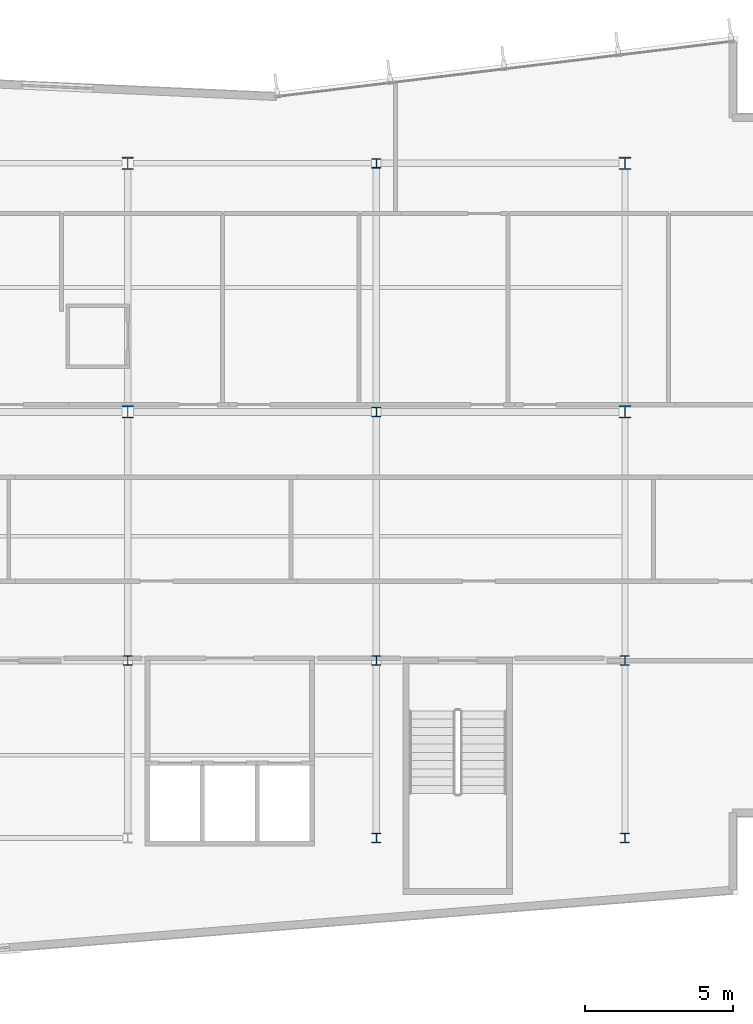
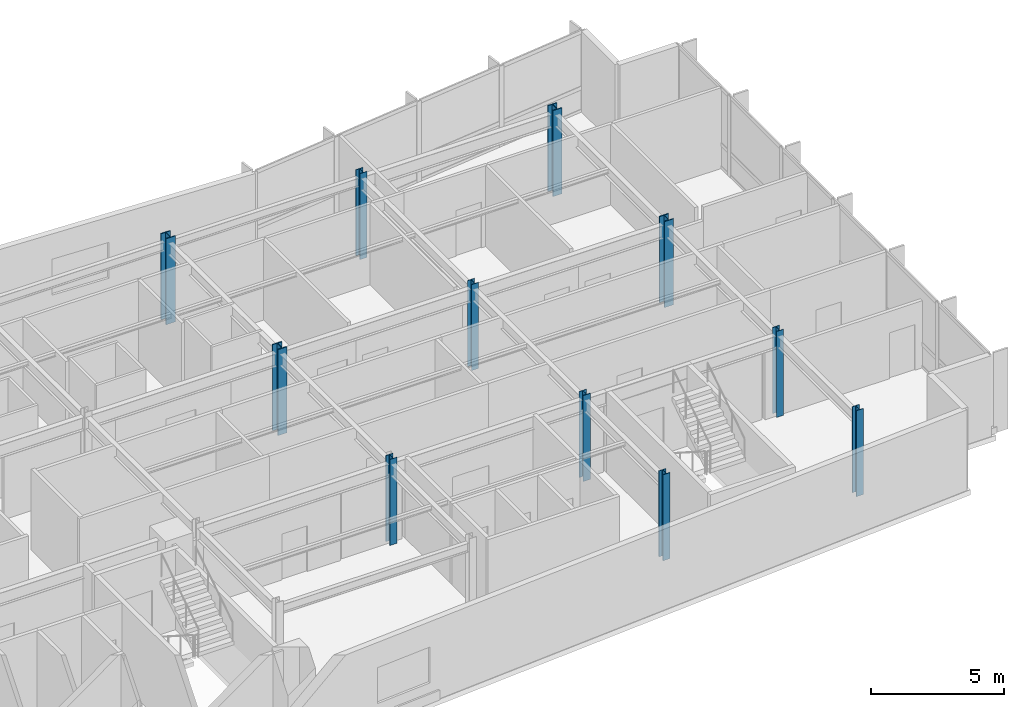
# One storey, part 2 of 19: 11 columns.
"""IFC4 building model written with IfcOpenShell, lengths in metres."""

from ifc_helpers import new_model, si_unit, direction, frame, origin, origin_2d, place, context, subcontext, project, spatial, i_section, extrude, material, material_profile, profile_set, type_object, element, save


model = new_model("IFC4")

# Units and contexts
model_context = context("Model", 3, precision=1e-05, world=origin(), true_north=direction((0.0, 1.0)))
body_context = subcontext(model_context, "Body", "Model", "MODEL_VIEW")
ifc_project = project(units=[si_unit("LENGTHUNIT", "METRE"), si_unit("AREAUNIT", "SQUARE_METRE"), si_unit("VOLUMEUNIT", "CUBIC_METRE"), si_unit("PLANEANGLEUNIT", "RADIAN"), si_unit("MASSUNIT", "GRAM", prefix="KILO")], contexts=[model_context])

# Site, building, storey
site_placement = place(None, origin())
site = spatial("IfcSite", under=ifc_project, at=site_placement, CompositionType="ELEMENT")
building_placement = place(site_placement, origin())
building = spatial("IfcBuilding", under=site, at=building_placement, Name="Varnakote Quay Hospital", CompositionType="ELEMENT")
storey_placement = place(building_placement, frame((0.0, 0.0, 115.199951171875)))
storey = spatial("IfcBuildingStorey", under=building, at=storey_placement, Name="L28", CompositionType="ELEMENT", Elevation=115.199951171875)

# Columns
ifc_material_1 = material(Name="Structural steel AS/NZS 3679.1 Grade 350 L0 (fy 340 MPa)", Category="steel")
ifc_material_profile_1 = material_profile(ifc_material_1, i_section(OverallWidth=0.30908203125, OverallDepth=0.321044921875, WebThickness=0.013916015625, FlangeThickness=0.021728515625, FilletRadius=0.0166015625, at=origin_2d()), Name="310UC137")
ifc_profile_set_1 = profile_set([ifc_material_profile_1], Name="Structural steel AS/NZS 3679.1 Grade 350 L0 (fy 340 MPa)")
column_type_1 = type_object("IfcColumnType", Name="COL-STL-310UC137", PredefinedType="COLUMN", material=ifc_profile_set_1)
for number, where, z_axis, x_axis, name in (
    (1, (42.0, 6.0, 0.0), (0.0, 0.0, 1.0), (1.0, 0.0, 0.0), "L28 Structural Column C-42-6"),
    (2, (50.39990234375, 6.0, 0.0), (0.0, 0.0, 1.0), (1.0, 0.0, 0.0), "L28 Structural Column C-50-6"),
    (3, (33.60009765625, 12.0, 0.0), (0.0, 0.0, 1.0), (1.0, 0.0, 0.0), "L28 Structural Column C-34-12"),
    (4, (42.0, 12.0, 0.0), (0.0, 0.0, 1.0), (1.0, 0.0, 0.0), "L28 Structural Column C-42-12"),
    (5, (50.39990234375, 12.0, 0.0), (0.0, 0.0, 1.0), (1.0, 0.0, 0.0), "L28 Structural Column C-50-12"),
    (6, (42.0, 20.39990234375, 0.0), (0.0, 0.0, 1.0), (1.0, 0.0, 0.0), "L28 Structural Column C-42-20"),
    (7, (42.0, 28.800048828125, 0.0), (0.0, 0.0, 1.0), (1.0, 0.0, 0.0), "L28 Structural Column C-42-29"),
):
    element("IfcColumn", number, at=place(storey_placement, frame(where, z_axis=z_axis, x_axis=x_axis)), inside=storey, type_object=column_type_1, Name=name, PredefinedType="COLUMN", context=body_context, shape_type="SweptSolid", body=[
        extrude(i_section(OverallWidth=0.30908203125, OverallDepth=0.321044921875, WebThickness=0.013916015625, FlangeThickness=0.021728515625, FilletRadius=0.0166015625, at=origin_2d()), origin(), (0.0, 0.0, 1.0), 3.949951171875),
    ])
ifc_material_2 = material(Name="Structural steel AS/NZS 3678 Grade 350 (fy 340 MPa)", Category="steel")
ifc_material_profile_2 = material_profile(ifc_material_2, i_section(OverallWidth=0.39990234375, OverallDepth=0.419921875, WebThickness=0.02490234375, FlangeThickness=0.0400390625, at=origin_2d()), Name="400WC328")
ifc_profile_set_2 = profile_set([ifc_material_profile_2], Name="Structural steel AS/NZS 3678 Grade 350 (fy 340 MPa)")
column_type_2 = type_object("IfcColumnType", Name="COL-STL-400WC328", PredefinedType="COLUMN", material=ifc_profile_set_2)
for number, where, z_axis, x_axis, name in (
    (8, (33.60009765625, 20.39990234375, 0.0), (0.0, 0.0, 1.0), (1.0, 0.0, 0.0), "L28 Structural Column C-34-20"),
    (9, (50.39990234375, 20.39990234375, 0.0), (0.0, 0.0, 1.0), (1.0, 0.0, 0.0), "L28 Structural Column C-50-20"),
    (10, (33.60009765625, 28.800048828125, 0.0), (0.0, 0.0, 1.0), (1.0, 0.0, 0.0), "L28 Structural Column C-34-29"),
    (11, (50.39990234375, 28.800048828125, 0.0), (0.0, 0.0, 1.0), (1.0, 0.0, 0.0), "L28 Structural Column C-50-29"),
):
    element("IfcColumn", number, at=place(storey_placement, frame(where, z_axis=z_axis, x_axis=x_axis)), inside=storey, type_object=column_type_2, Name=name, PredefinedType="COLUMN", context=body_context, shape_type="SweptSolid", body=[
        extrude(i_section(OverallWidth=0.39990234375, OverallDepth=0.419921875, WebThickness=0.02490234375, FlangeThickness=0.0400390625, at=origin_2d()), origin(), (0.0, 0.0, 1.0), 3.949951171875),
    ])

save(model, "model.ifc")
